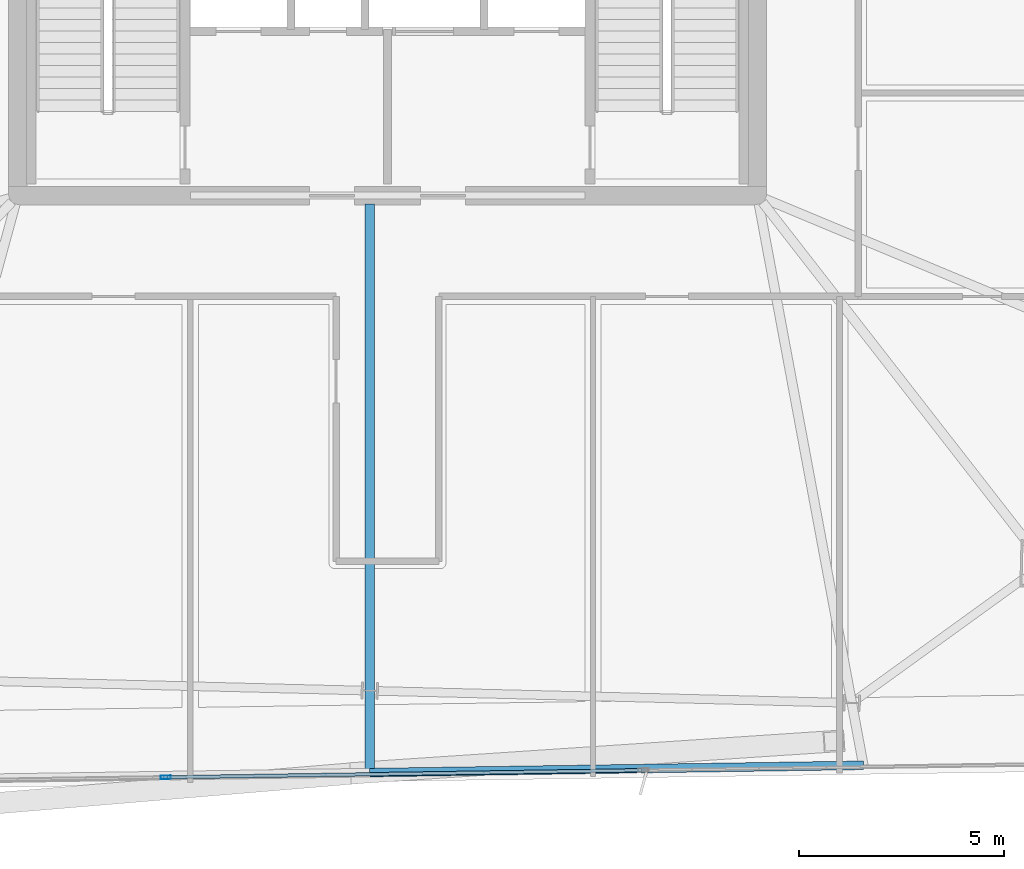
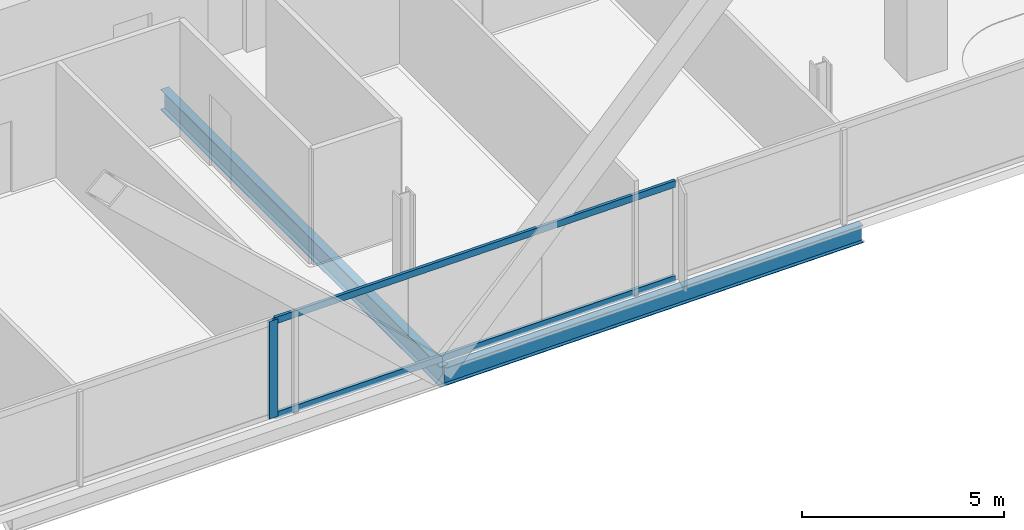
# One storey, part 4 of 25: 3 members, 2 beams, 1 element without a shape of its own.
"""IFC4 building model written with IfcOpenShell, lengths in metres."""

from ifc_helpers import new_model, si_unit, direction, frame, origin, origin_2d, place, context, subcontext, project, spatial, hollow_rectangle, i_section, extrude, material, material_profile, profile_set, type_object, element, aggregate, save


model = new_model("IFC4")

# Units and contexts
model_context = context("Model", 3, precision=1e-05, world=origin(), true_north=direction((0.0, 1.0)))
body_context = subcontext(model_context, "Body", "Model", "MODEL_VIEW")
ifc_project = project(units=[si_unit("LENGTHUNIT", "METRE"), si_unit("AREAUNIT", "SQUARE_METRE"), si_unit("VOLUMEUNIT", "CUBIC_METRE"), si_unit("PLANEANGLEUNIT", "RADIAN"), si_unit("MASSUNIT", "GRAM", prefix="KILO")], contexts=[model_context])

# Site, building, storey
site_placement = place(None, origin())
site = spatial("IfcSite", under=ifc_project, at=site_placement, CompositionType="ELEMENT")
building_placement = place(site_placement, origin())
building = spatial("IfcBuilding", under=site, at=building_placement, Name="Haldenkirk Collegiate Tower", CompositionType="ELEMENT")
storey_placement = place(building_placement, frame((0.0, 0.0, 332.699951171875)))
storey = spatial("IfcBuildingStorey", under=building, at=storey_placement, Name="L84", CompositionType="ELEMENT", Elevation=332.699951171875)

# Beams
ifc_material_1 = material(Name="Steel ASTM A992 Grade 50", Category="steel")
ifc_material_profile_1 = material_profile(ifc_material_1, i_section(OverallWidth=0.22998046875, OverallDepth=0.616943359375, WebThickness=0.01318359375, FlangeThickness=0.022216796875, at=origin_2d()), Name="W24X94")
ifc_profile_set_1 = profile_set([ifc_material_profile_1], Name="Steel ASTM A992 Grade 50")
beam_type_1 = type_object("IfcBeamType", Name="BM-GIRDER-W24X94", PredefinedType="BEAM", material=ifc_profile_set_1)
beam_1_placement = place(storey_placement, frame((35.567626953125, 3.961181640625, -0.568359375), z_axis=(0.0, 1.0, 0.0), x_axis=(-1.0, 0.0, 0.0)))
element("IfcBeam", 1, at=beam_1_placement, inside=storey, type_object=beam_type_1, Name="L84 primary floor girder 15", PredefinedType="BEAM", context=body_context, shape_type="SweptSolid", body=[
    extrude(i_section(OverallWidth=0.22998046875, OverallDepth=0.616943359375, WebThickness=0.01318359375, FlangeThickness=0.022216796875, at=origin_2d()), origin(), (0.0, 0.0, 1.0), 13.833740234375),
])
ifc_material_profile_2 = material_profile(ifc_material_1, i_section(OverallWidth=0.2099609375, OverallDepth=0.537109375, WebThickness=0.010986328125, FlangeThickness=0.017333984375, at=origin_2d()), Name="W21X68")
ifc_profile_set_2 = profile_set([ifc_material_profile_2], Name="Steel ASTM A992 Grade 50")
beam_type_2 = type_object("IfcBeamType", Name="BM-SPANDREL-W21X68", PredefinedType="SPANDREL", material=ifc_profile_set_2)
beam_2_placement = place(storey_placement, frame((35.567626953125, 3.961181640625, -0.528564453125), z_axis=(0.999889943976, 0.014835765429, 0.0), x_axis=(-0.014835765429, 0.999889943976, 0.0)))
element("IfcBeam", 2, at=beam_2_placement, inside=storey, type_object=beam_type_2, Name="L84 outer facade edge beam 4B", PredefinedType="SPANDREL", context=body_context, shape_type="SweptSolid", body=[
    extrude(i_section(OverallWidth=0.2099609375, OverallDepth=0.537109375, WebThickness=0.010986328125, FlangeThickness=0.017333984375, at=origin_2d()), origin(), (0.0, 0.0, 1.0), 12.012939453125),
])

# Curtain wall, members
ifc_material_2 = material(Name="Anodised architectural bronze aluminium", Category="aluminium")
curtain_wall_type = type_object("IfcCurtainWallType", Name="CW-SYS1B-CONVEX-HI", PredefinedType="USERDEFINED", material=ifc_material_2)
curtain_wall_placement = place(storey_placement, origin())
curtain_wall = element("IfcCurtainWall", 3, at=curtain_wall_placement, inside=storey, type_object=curtain_wall_type, Name="L84 Upper tower high-wind convex bronze unitised curtain wall", ObjectType="UNITISED CURTAIN WALL", PredefinedType="USERDEFINED")
ifc_material_profile_3 = material_profile(ifc_material_2, hollow_rectangle(XDim=0.0849609375, YDim=0.25, WallThickness=0.0048828125, at=origin_2d()), Name="CW-MUL-1B")
ifc_profile_set_3 = profile_set([ifc_material_profile_3], Name="Anodised architectural bronze aluminium")
member_type_1 = type_object("IfcMemberType", Name="CW-MUL-1B", PredefinedType="MULLION", material=ifc_profile_set_3)
member_1_placement = place(storey_placement, frame((30.60302734375, 3.847412109375, 0.0), z_axis=(0.0, 0.0, 1.0), x_axis=(0.014833001798, -0.999889984977, 0.0)))
member_1 = element("IfcMember", 4, at=member_1_placement, type_object=member_type_1, Name="CW-1B mullion 3", PredefinedType="MULLION", context=body_context, shape_type="SweptSolid", body=[
    extrude(hollow_rectangle(XDim=0.0849609375, YDim=0.25, WallThickness=0.0048828125, at=origin_2d()), origin(), (0.0, 0.0, 1.0), 2.947998046875),
])
ifc_material_profile_4 = material_profile(ifc_material_2, hollow_rectangle(XDim=0.0849609375, YDim=0.199951171875, WallThickness=0.0048828125, at=origin_2d()), Name="CW-TRN-1B")
ifc_profile_set_4 = profile_set([ifc_material_profile_4], Name="Anodised architectural bronze aluminium")
member_type_2 = type_object("IfcMemberType", Name="CW-TRN-1B", PredefinedType="USERDEFINED", material=ifc_profile_set_4)
member_2_placement = place(storey_placement, frame((42.184326171875, 4.019287109375, 0.04248046875), z_axis=(-0.999890025544, -0.014830266972, 0.0), x_axis=(0.014830266972, -0.999890025544, 0.0)))
member_2 = element("IfcMember", 5, at=member_2_placement, type_object=member_type_2, Name="CW-1B transom 2.1", ObjectType="TRANSOM", PredefinedType="USERDEFINED", context=body_context, shape_type="SweptSolid", body=[
    extrude(hollow_rectangle(XDim=0.0849609375, YDim=0.199951171875, WallThickness=0.0048828125, at=origin_2d()), origin(), (0.0, 0.0, 1.0), 11.5400390625),
])
member_3_placement = place(storey_placement, frame((42.184326171875, 4.019287109375, 2.905517578125), z_axis=(-0.999890025544, -0.014830266972, 0.0), x_axis=(0.014830266972, -0.999890025544, 0.0)))
member_3 = element("IfcMember", 6, at=member_3_placement, type_object=member_type_2, Name="CW-1B transom 2.2", ObjectType="TRANSOM", PredefinedType="USERDEFINED", context=body_context, shape_type="SweptSolid", body=[
    extrude(hollow_rectangle(XDim=0.0849609375, YDim=0.199951171875, WallThickness=0.0048828125, at=origin_2d()), origin(), (0.0, 0.0, 1.0), 11.5400390625),
])
aggregate(curtain_wall, [member_1, member_2, member_3])

save(model, "model.ifc")
